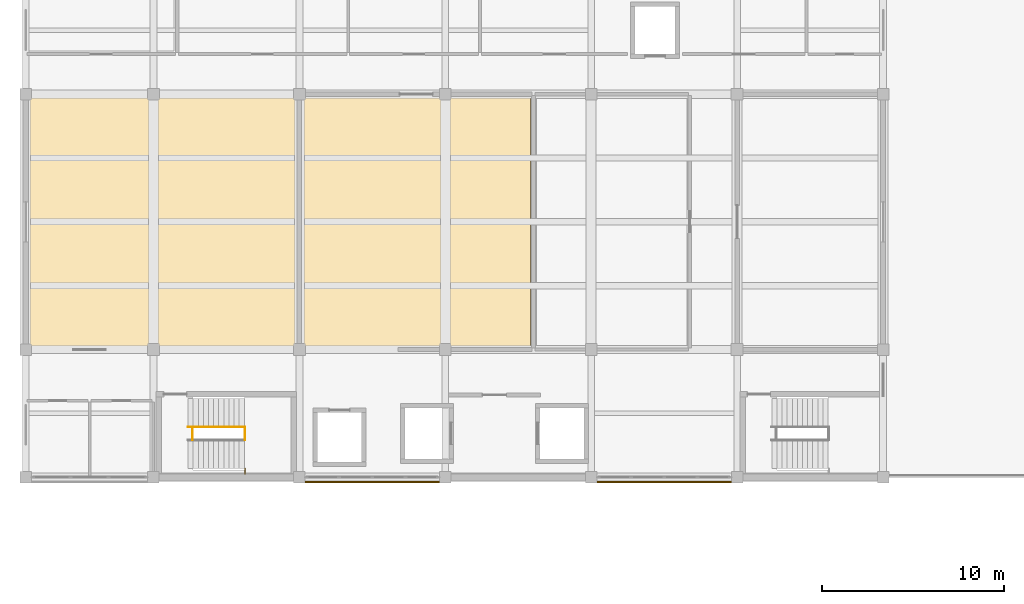
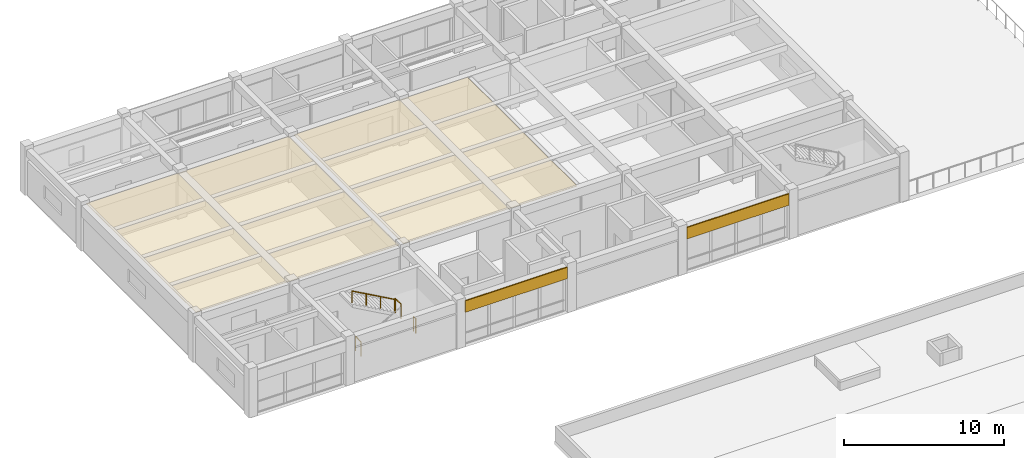
# One storey, part 19 of 22: 4 coverings, 4 railings.
"""IFC4 building model written with IfcOpenShell, lengths in metres."""

from ifc_helpers import new_model, si_unit, direction, frame, origin, origin_2d, place, context, subcontext, project, spatial, polyline, rectangle, circle, outline, extrude, material, layer, layer_set, type_object, element, save


model = new_model("IFC4")

# Units and contexts
model_context = context("Model", 3, precision=1e-05, world=origin(), true_north=direction((0.0, 1.0)))
body_context = subcontext(model_context, "Body", "Model", "MODEL_VIEW")
ifc_project = project(units=[si_unit("LENGTHUNIT", "METRE"), si_unit("AREAUNIT", "SQUARE_METRE"), si_unit("VOLUMEUNIT", "CUBIC_METRE"), si_unit("PLANEANGLEUNIT", "RADIAN"), si_unit("MASSUNIT", "GRAM", prefix="KILO")], contexts=[model_context])

# Site, building, storey
site_placement = place(None, origin())
site = spatial("IfcSite", under=ifc_project, at=site_placement, CompositionType="ELEMENT")
building_placement = place(site_placement, origin())
building = spatial("IfcBuilding", under=site, at=building_placement, Name="Naurynzar Civic Courthouse", CompositionType="ELEMENT")
storey_placement = place(building_placement, frame((0.0, 0.0, 25.800048828125)))
storey = spatial("IfcBuildingStorey", under=building, at=storey_placement, Name="L07", CompositionType="ELEMENT", Elevation=25.800048828125)

# Coverings
ifc_material_1 = material(Name="Acoustic Oak Timber Grade A", Category="wood")
ifc_layer_1 = layer(ifc_material_1, 0.044921875)
ifc_layer_set_1 = layer_set([ifc_layer_1], Name="CEIL-ACOUSTIC-OAK-45")
covering_type_1 = type_object("IfcCoveringType", Name="CEIL-ACOUSTIC-OAK-45", PredefinedType="CEILING", material=ifc_layer_set_1)
covering_1_placement = place(storey_placement, frame((0.0, 0.0, 3.364990234375)))
element("IfcCovering", 1, at=covering_1_placement, inside=storey, type_object=covering_type_1, Name="Acoustic suspended ceiling Economic Courtroom 7A", PredefinedType="CEILING", context=body_context, shape_type="SweptSolid", body=[
    extrude(outline(polyline([(76.827880859375, 51.159912109375), (62.159912109375, 51.159912109375), (62.159912109375, 64.840087890625), (76.827880859375, 64.840087890625), (76.827880859375, 51.159912109375)])), origin(), (0.0, 0.0, 1.0), 0.044921875),
])
covering_2_placement = place(storey_placement, frame((0.0, 0.0, 3.364990234375)))
element("IfcCovering", 2, at=covering_2_placement, inside=storey, type_object=covering_type_1, Name="Acoustic suspended ceiling Economic Courtroom 7B", PredefinedType="CEILING", context=body_context, shape_type="SweptSolid", body=[
    extrude(outline(polyline([(89.675048828125, 51.159912109375), (77.14794921875, 51.159912109375), (77.14794921875, 64.840087890625), (89.675048828125, 64.840087890625), (89.675048828125, 51.159912109375)])), origin(), (0.0, 0.0, 1.0), 0.044921875),
])
ifc_material_2 = material(Name="Precast concrete C40/50", Category="concrete")
ifc_layer_2 = layer(ifc_material_2, 0.080078125)
ifc_layer_set_2 = layer_set([ifc_layer_2], Name="COV-CLAD-PRECAST-80")
covering_type_2 = type_object("IfcCoveringType", Name="COV-CLAD-PRECAST-80", PredefinedType="CLADDING", material=ifc_layer_set_2)
for number, where, z_axis, x_axis, name in (
    (3, (97.0, 43.7451171875, 2.599853515625), (0.0, 0.0, 1.0), (-1.0, 0.0, 0.0), "V2 precast spandrel cladding 51"),
    (4, (81.0, 43.7451171875, 2.599853515625), (0.0, 0.0, 1.0), (-1.0, 0.0, 0.0), "V2 precast spandrel cladding 52"),
):
    element("IfcCovering", number, at=place(storey_placement, frame(where, z_axis=z_axis, x_axis=x_axis)), inside=storey, type_object=covering_type_2, Name=name, PredefinedType="CLADDING", context=body_context, shape_type="SweptSolid", body=[
        extrude(rectangle(XDim=7.375, YDim=0.080078125, at=origin_2d()), origin(), (0.0, 0.0, 1.0), 0.8701171875),
    ])

# Railings
ifc_material_3 = material(Name="Brushed Stainless Steel 304", Category="steel")
railing_type_1 = type_object("IfcRailingType", Name="RAIL-BAL-1100", PredefinedType="BALUSTRADE", material=ifc_material_3)
for number, where, name in (
    (5, (71.139892578125, 46.0400390625, 0.0), "Stair ST-V2A floor well slot guard L07"),
    (6, (74.02001953125, 46.0400390625, 1.875), "Stair ST-V2A-L07 half-landing well guard"),
):
    element("IfcRailing", number, at=place(storey_placement, frame(where)), inside=storey, type_object=railing_type_1, Name=name, PredefinedType="BALUSTRADE", context=body_context, shape_type="SweptSolid", body=[
        extrude(circle(Radius=0.02392578125, at=origin_2d()), frame((0.0, 0.0, 1.09619140625), z_axis=(0.0, 1.0, 0.0), x_axis=(-1.0, 0.0, 0.0)), (0.0, 0.0, 1.0), 0.719970703125),
        extrude(circle(Radius=0.02099609375, at=origin_2d()), origin(), (0.0, 0.0, 1.0), 1.072021484375),
        extrude(circle(Radius=0.02099609375, at=origin_2d()), frame((0.0, 0.719970703125, 0.0)), (0.0, 0.0, 1.0), 1.072021484375),
    ])
railing_1_placement = place(storey_placement, frame((74.02001953125, 44.195068359375, 1.875)))
element("IfcRailing", 7, at=railing_1_placement, inside=storey, type_object=railing_type_1, Name="Stair ST-V2A-L07 half-landing south slot guard", PredefinedType="BALUSTRADE", context=body_context, shape_type="SweptSolid", body=[
    extrude(circle(Radius=0.02392578125, at=origin_2d()), frame((0.0, 0.0, 1.09619140625), z_axis=(0.0, 1.0, 0.0), x_axis=(-1.0, 0.0, 0.0)), (0.0, 0.0, 1.0), 0.284912109375),
    extrude(circle(Radius=0.02099609375, at=origin_2d()), origin(), (0.0, 0.0, 1.0), 1.072021484375),
    extrude(circle(Radius=0.02099609375, at=origin_2d()), frame((0.0, 0.284912109375, 0.0)), (0.0, 0.0, 1.0), 1.072021484375),
])
ifc_material_4 = material(Name="Brushed Stainless Steel 304", Category="steel")
railing_type_2 = type_object("IfcRailingType", Name="RAIL-HR-900", PredefinedType="HANDRAIL", material=ifc_material_4)
railing_2_placement = place(storey_placement, frame((73.97998046875, 46.760009765625, 2.03125)))
element("IfcRailing", 8, at=railing_2_placement, inside=storey, type_object=railing_type_2, Name="Stair ST-V2A-L07 flight 2 handrail", PredefinedType="HANDRAIL", context=body_context, shape_type="SweptSolid", body=[
    extrude(circle(Radius=0.02392578125, at=origin_2d()), frame((0.0, 0.0, 0.8759765625), z_axis=(-0.873241540666, 0.0, 0.487287606713), x_axis=(0.0, -1.0, 0.0)), (0.0, 0.0, 1.0), 3.527099609375),
    extrude(circle(Radius=0.02099609375, at=origin_2d()), origin(), (0.0, 0.0, 1.0), 0.851806640625),
    extrude(circle(Radius=0.02099609375, at=origin_2d()), frame((-1.026611328125, 0.0, 0.572998046875)), (0.0, 0.0, 1.0), 0.851806640625),
    extrude(circle(Radius=0.02099609375, at=origin_2d()), frame((-2.053466796875, 0.0, 1.145751953125)), (0.0, 0.0, 1.0), 0.851806640625),
    extrude(circle(Radius=0.02099609375, at=origin_2d()), frame((-3.080078125, 0.0, 1.71875)), (0.0, 0.0, 1.0), 0.851806640625),
])

save(model, "model.ifc")
